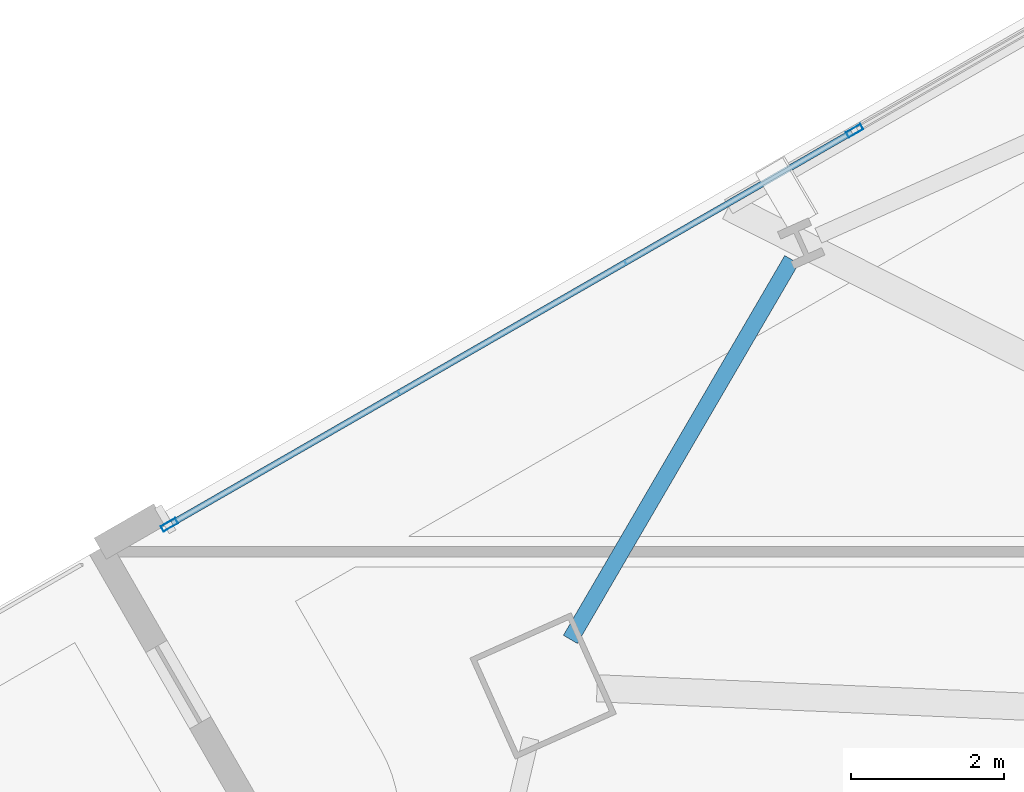
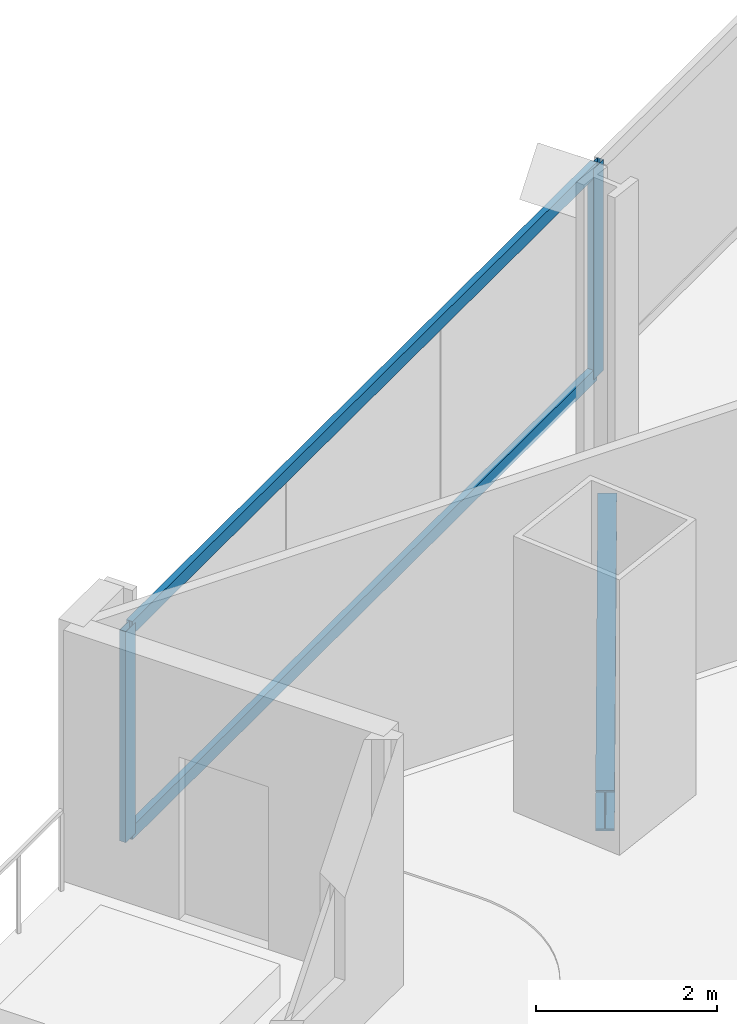
# One storey, part 13 of 33: 4 members, 1 beam, 1 element without a shape of its own.
"""IFC4 building model written with IfcOpenShell, lengths in metres."""

from ifc_helpers import new_model, si_unit, direction, frame, origin, origin_2d, place, context, subcontext, project, spatial, hollow_rectangle, i_section, extrude, material, material_profile, profile_set, type_object, element, aggregate, save


model = new_model("IFC4")

# Units and contexts
model_context = context("Model", 3, precision=1e-05, world=origin(), true_north=direction((0.0, 1.0)))
body_context = subcontext(model_context, "Body", "Model", "MODEL_VIEW")
ifc_project = project(units=[si_unit("LENGTHUNIT", "METRE"), si_unit("AREAUNIT", "SQUARE_METRE"), si_unit("VOLUMEUNIT", "CUBIC_METRE"), si_unit("PLANEANGLEUNIT", "RADIAN"), si_unit("MASSUNIT", "GRAM", prefix="KILO")], contexts=[model_context])

# Site, building, storey
site_placement = place(None, origin())
site = spatial("IfcSite", under=ifc_project, at=site_placement, CompositionType="ELEMENT")
building_placement = place(site_placement, origin())
building = spatial("IfcBuilding", under=site, at=building_placement, Name="Haldenkirk Collegiate Tower", CompositionType="ELEMENT")
storey_placement = place(building_placement, frame((0.0, 0.0, 127.949951171875)))
storey = spatial("IfcBuildingStorey", under=building, at=storey_placement, Name="L31", CompositionType="ELEMENT", Elevation=127.949951171875)

# Beam
ifc_material_1 = material(Name="Steel ASTM A992 Grade 50", Category="steel")
ifc_material_profile_1 = material_profile(ifc_material_1, i_section(OverallWidth=0.2119140625, OverallDepth=0.5439453125, WebThickness=0.01318359375, FlangeThickness=0.021240234375, at=origin_2d()), Name="W21X83")
ifc_profile_set_1 = profile_set([ifc_material_profile_1], Name="Steel ASTM A992 Grade 50")
beam_type = type_object("IfcBeamType", Name="BM-SPANDREL-W21X83", PredefinedType="SPANDREL", material=ifc_profile_set_1)
beam_placement = place(storey_placement, frame((14.035888671875, 40.27001953125, -0.572021484375), z_axis=(-0.503649179098, -0.863908273137, 0.0), x_axis=(0.863908273137, -0.503649179098, 0.0)))
element("IfcBeam", 1, at=beam_placement, inside=storey, type_object=beam_type, Name="L31 perimeter spandrel beam 12", PredefinedType="SPANDREL", context=body_context, shape_type="SweptSolid", body=[
    extrude(i_section(OverallWidth=0.2119140625, OverallDepth=0.5439453125, WebThickness=0.01318359375, FlangeThickness=0.021240234375, at=origin_2d()), origin(), (0.0, 0.0, 1.0), 5.748046875),
])

# Curtain wall, members
ifc_material_2 = material(Name="Anodised architectural bronze aluminium", Category="aluminium")
curtain_wall_type = type_object("IfcCurtainWallType", Name="CW-SYS1-CONVEX-LOW", PredefinedType="USERDEFINED", material=ifc_material_2)
curtain_wall_placement = place(storey_placement, origin())
curtain_wall = element("IfcCurtainWall", 2, at=curtain_wall_placement, inside=storey, type_object=curtain_wall_type, Name="L31 Lower tower convex bronze-framed unitised curtain wall", ObjectType="UNITISED CURTAIN WALL", PredefinedType="USERDEFINED")
ifc_material_profile_2 = material_profile(ifc_material_2, hollow_rectangle(XDim=0.080078125, YDim=0.219970703125, WallThickness=0.0048828125, at=origin_2d()), Name="CW-MUL-1A")
ifc_profile_set_2 = profile_set([ifc_material_profile_2], Name="Anodised architectural bronze aluminium")
member_type_1 = type_object("IfcMemberType", Name="CW-MUL-1A", PredefinedType="MULLION", material=ifc_profile_set_2)
member_1_placement = place(storey_placement, frame((5.8984375, 36.802734375, 0.0), z_axis=(0.0, 0.0, 1.0), x_axis=(-0.498488961578, 0.866896046355, 0.0)))
member_1 = element("IfcMember", 3, at=member_1_placement, type_object=member_type_1, Name="CW-1A mullion 1", PredefinedType="MULLION", context=body_context, shape_type="SweptSolid", body=[
    extrude(hollow_rectangle(XDim=0.080078125, YDim=0.219970703125, WallThickness=0.0048828125, at=origin_2d()), origin(), (0.0, 0.0, 1.0), 2.85107421875),
])
member_2_placement = place(storey_placement, frame((14.857666015625, 41.95458984375, 0.0), z_axis=(0.0, 0.0, 1.0), x_axis=(-0.498488961578, 0.866896046355, 0.0)))
member_2 = element("IfcMember", 4, at=member_2_placement, type_object=member_type_1, Name="CW-1A mullion 2", PredefinedType="MULLION", context=body_context, shape_type="SweptSolid", body=[
    extrude(hollow_rectangle(XDim=0.080078125, YDim=0.219970703125, WallThickness=0.0048828125, at=origin_2d()), origin(), (0.0, 0.0, 1.0), 2.85107421875),
])
ifc_material_profile_3 = material_profile(ifc_material_2, hollow_rectangle(XDim=0.080078125, YDim=0.179931640625, WallThickness=0.0048828125, at=origin_2d()), Name="CW-TRN-1A")
ifc_profile_set_3 = profile_set([ifc_material_profile_3], Name="Anodised architectural bronze aluminium")
member_type_2 = type_object("IfcMemberType", Name="CW-TRN-1A", PredefinedType="USERDEFINED", material=ifc_profile_set_3)
member_3_placement = place(storey_placement, frame((5.93310546875, 36.822509765625, 0.0400390625), z_axis=(0.866890613824, 0.498498408888, 0.0), x_axis=(-0.498498408888, 0.866890613824, 0.0)))
member_3 = element("IfcMember", 5, at=member_3_placement, type_object=member_type_2, Name="CW-1A transom 1.1", ObjectType="TRANSOM", PredefinedType="USERDEFINED", context=body_context, shape_type="SweptSolid", body=[
    extrude(hollow_rectangle(XDim=0.080078125, YDim=0.179931640625, WallThickness=0.0048828125, at=origin_2d()), origin(), (0.0, 0.0, 1.0), 10.2548828125),
])
member_4_placement = place(storey_placement, frame((5.93310546875, 36.822509765625, 2.81103515625), z_axis=(0.866890613824, 0.498498408888, 0.0), x_axis=(-0.498498408888, 0.866890613824, 0.0)))
member_4 = element("IfcMember", 6, at=member_4_placement, type_object=member_type_2, Name="CW-1A transom 1.2", ObjectType="TRANSOM", PredefinedType="USERDEFINED", context=body_context, shape_type="SweptSolid", body=[
    extrude(hollow_rectangle(XDim=0.080078125, YDim=0.179931640625, WallThickness=0.0048828125, at=origin_2d()), origin(), (0.0, 0.0, 1.0), 10.2548828125),
])
aggregate(curtain_wall, [member_1, member_2, member_3, member_4])

save(model, "model.ifc")
